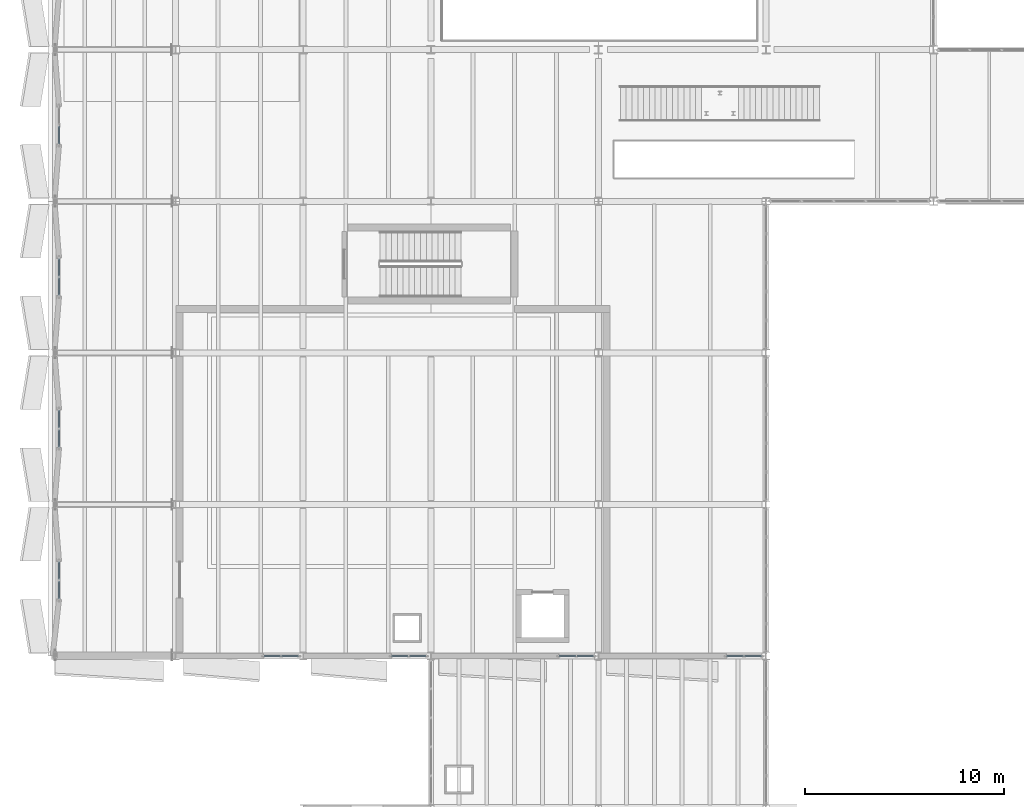
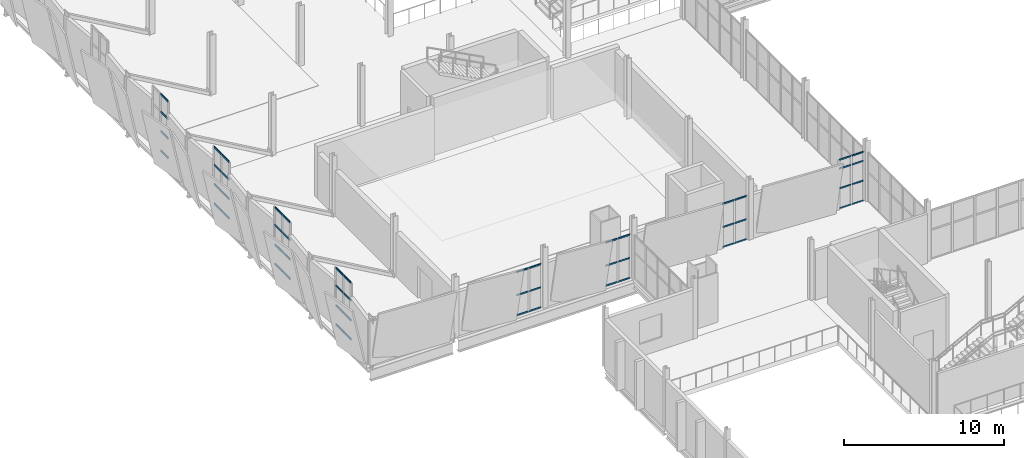
# One storey, part 124 of 172: 54 members, 8 elements without a shape of their own.
"""IFC4 building model written with IfcOpenShell, lengths in metres."""

from ifc_helpers import new_model, si_unit, direction, frame, origin, origin_2d, place, context, subcontext, project, spatial, hollow_rectangle, extrude, material, material_profile, profile_set, type_object, element, aggregate, save


model = new_model("IFC4")

# Units and contexts
model_context = context("Model", 3, precision=1e-05, world=origin(), true_north=direction((0.0, 1.0)))
body_context = subcontext(model_context, "Body", "Model", "MODEL_VIEW")
ifc_project = project(units=[si_unit("LENGTHUNIT", "METRE"), si_unit("AREAUNIT", "SQUARE_METRE"), si_unit("VOLUMEUNIT", "CUBIC_METRE"), si_unit("PLANEANGLEUNIT", "RADIAN"), si_unit("MASSUNIT", "GRAM", prefix="KILO")], contexts=[model_context])

# Site, building, storey
site_placement = place(None, origin())
site = spatial("IfcSite", under=ifc_project, at=site_placement, CompositionType="ELEMENT")
building_placement = place(site_placement, origin())
building = spatial("IfcBuilding", under=site, at=building_placement, Name="Shengluoqiao Park Theatre", CompositionType="ELEMENT")
storey_placement = place(building_placement, frame((0.0, 0.0, 5.39990234375)))
storey = spatial("IfcBuildingStorey", under=building, at=storey_placement, Name="L01", CompositionType="ELEMENT", Elevation=5.39990234375)

# Curtain wall, members
ifc_material = material(Name="Aluminium 6063-T6", Category="aluminium")
curtain_wall_type_1 = type_object("IfcCurtainWallType", Name="ENV-CW-STUDIO", PredefinedType="NOTDEFINED", material=ifc_material)
curtain_wall_1_placement = place(storey_placement, origin())
curtain_wall_1 = element("IfcCurtainWall", 1, at=curtain_wall_1_placement, inside=storey, type_object=curtain_wall_type_1, Name="L01 Curtain Wall CWX-L01-0016", PredefinedType="NOTDEFINED")
ifc_material_profile_1 = material_profile(ifc_material, hollow_rectangle(XDim=0.06005859375, YDim=0.1201171875, WallThickness=0.00390625, InnerFilletRadius=0.00390625, OuterFilletRadius=0.008056640625, at=origin_2d()), Name="ALU TRANSOM 120x60x4")
ifc_profile_set_1 = profile_set([ifc_material_profile_1], Name="Aluminium 6063-T6")
member_type_1 = type_object("IfcMemberType", Name="ENV-TRN-120", PredefinedType="USERDEFINED", material=ifc_profile_set_1)
member_1_placement = place(storey_placement, frame((10.825927734375, 30.39990234375, 0.030029296875), z_axis=(1.0, 0.0, 0.0), x_axis=(0.0, 1.0, 0.0)))
member_1 = element("IfcMember", 2, at=member_1_placement, type_object=member_type_1, Name="CW-02 transom 1.1", ObjectType="TRANSOM", PredefinedType="USERDEFINED", context=body_context, shape_type="SweptSolid", body=[
    extrude(hollow_rectangle(XDim=0.06005859375, YDim=0.1201171875, WallThickness=0.00390625, InnerFilletRadius=0.00390625, OuterFilletRadius=0.008056640625, at=origin_2d()), origin(), (0.0, 0.0, 1.0), 0.837646484375),
])
member_2_placement = place(storey_placement, frame((10.825927734375, 30.39990234375, 1.550048828125), z_axis=(1.0, 0.0, 0.0), x_axis=(0.0, 1.0, 0.0)))
member_2 = element("IfcMember", 3, at=member_2_placement, type_object=member_type_1, Name="CW-02 transom 1.2", ObjectType="TRANSOM", PredefinedType="USERDEFINED", context=body_context, shape_type="SweptSolid", body=[
    extrude(hollow_rectangle(XDim=0.06005859375, YDim=0.1201171875, WallThickness=0.00390625, InnerFilletRadius=0.00390625, OuterFilletRadius=0.008056640625, at=origin_2d()), origin(), (0.0, 0.0, 1.0), 0.837646484375),
])
member_3_placement = place(storey_placement, frame((10.825927734375, 30.39990234375, 3.30810546875), z_axis=(1.0, 0.0, 0.0), x_axis=(0.0, 1.0, 0.0)))
member_3 = element("IfcMember", 4, at=member_3_placement, type_object=member_type_1, Name="CW-02 transom 1.3", ObjectType="TRANSOM", PredefinedType="USERDEFINED", context=body_context, shape_type="SweptSolid", body=[
    extrude(hollow_rectangle(XDim=0.06005859375, YDim=0.1201171875, WallThickness=0.00390625, InnerFilletRadius=0.00390625, OuterFilletRadius=0.008056640625, at=origin_2d()), origin(), (0.0, 0.0, 1.0), 0.837646484375),
])
member_4_placement = place(storey_placement, frame((11.723388671875, 30.39990234375, 0.030029296875), z_axis=(1.0, 0.0, 0.0), x_axis=(0.0, 1.0, 0.0)))
member_4 = element("IfcMember", 5, at=member_4_placement, type_object=member_type_1, Name="CW-02 transom 2.1", ObjectType="TRANSOM", PredefinedType="USERDEFINED", context=body_context, shape_type="SweptSolid", body=[
    extrude(hollow_rectangle(XDim=0.06005859375, YDim=0.1201171875, WallThickness=0.00390625, InnerFilletRadius=0.00390625, OuterFilletRadius=0.008056640625, at=origin_2d()), origin(), (0.0, 0.0, 1.0), 0.837646484375),
])
member_5_placement = place(storey_placement, frame((11.723388671875, 30.39990234375, 1.550048828125), z_axis=(1.0, 0.0, 0.0), x_axis=(0.0, 1.0, 0.0)))
member_5 = element("IfcMember", 6, at=member_5_placement, type_object=member_type_1, Name="CW-02 transom 2.2", ObjectType="TRANSOM", PredefinedType="USERDEFINED", context=body_context, shape_type="SweptSolid", body=[
    extrude(hollow_rectangle(XDim=0.06005859375, YDim=0.1201171875, WallThickness=0.00390625, InnerFilletRadius=0.00390625, OuterFilletRadius=0.008056640625, at=origin_2d()), origin(), (0.0, 0.0, 1.0), 0.837646484375),
])
member_6_placement = place(storey_placement, frame((11.723388671875, 30.39990234375, 3.30810546875), z_axis=(1.0, 0.0, 0.0), x_axis=(0.0, 1.0, 0.0)))
member_6 = element("IfcMember", 7, at=member_6_placement, type_object=member_type_1, Name="CW-02 transom 2.3", ObjectType="TRANSOM", PredefinedType="USERDEFINED", context=body_context, shape_type="SweptSolid", body=[
    extrude(hollow_rectangle(XDim=0.06005859375, YDim=0.1201171875, WallThickness=0.00390625, InnerFilletRadius=0.00390625, OuterFilletRadius=0.008056640625, at=origin_2d()), origin(), (0.0, 0.0, 1.0), 0.837646484375),
])
aggregate(curtain_wall_1, [member_1, member_2, member_3, member_4, member_5, member_6])

curtain_wall_2_placement = place(storey_placement, origin())
curtain_wall_2 = element("IfcCurtainWall", 8, at=curtain_wall_2_placement, inside=storey, type_object=curtain_wall_type_1, Name="L01 Curtain Wall CWX-L01-0017", PredefinedType="NOTDEFINED")
member_7_placement = place(storey_placement, frame((17.22607421875, 30.39990234375, 0.030029296875), z_axis=(1.0, 0.0, 0.0), x_axis=(0.0, 1.0, 0.0)))
member_7 = element("IfcMember", 9, at=member_7_placement, type_object=member_type_1, Name="CW-02 transom 1.1", ObjectType="TRANSOM", PredefinedType="USERDEFINED", context=body_context, shape_type="SweptSolid", body=[
    extrude(hollow_rectangle(XDim=0.06005859375, YDim=0.1201171875, WallThickness=0.00390625, InnerFilletRadius=0.00390625, OuterFilletRadius=0.008056640625, at=origin_2d()), origin(), (0.0, 0.0, 1.0), 0.83740234375),
])
member_8_placement = place(storey_placement, frame((17.22607421875, 30.39990234375, 1.550048828125), z_axis=(1.0, 0.0, 0.0), x_axis=(0.0, 1.0, 0.0)))
member_8 = element("IfcMember", 10, at=member_8_placement, type_object=member_type_1, Name="CW-02 transom 1.2", ObjectType="TRANSOM", PredefinedType="USERDEFINED", context=body_context, shape_type="SweptSolid", body=[
    extrude(hollow_rectangle(XDim=0.06005859375, YDim=0.1201171875, WallThickness=0.00390625, InnerFilletRadius=0.00390625, OuterFilletRadius=0.008056640625, at=origin_2d()), origin(), (0.0, 0.0, 1.0), 0.83740234375),
])
member_9_placement = place(storey_placement, frame((17.22607421875, 30.39990234375, 3.30810546875), z_axis=(1.0, 0.0, 0.0), x_axis=(0.0, 1.0, 0.0)))
member_9 = element("IfcMember", 11, at=member_9_placement, type_object=member_type_1, Name="CW-02 transom 1.3", ObjectType="TRANSOM", PredefinedType="USERDEFINED", context=body_context, shape_type="SweptSolid", body=[
    extrude(hollow_rectangle(XDim=0.06005859375, YDim=0.1201171875, WallThickness=0.00390625, InnerFilletRadius=0.00390625, OuterFilletRadius=0.008056640625, at=origin_2d()), origin(), (0.0, 0.0, 1.0), 0.83740234375),
])
member_10_placement = place(storey_placement, frame((18.12353515625, 30.39990234375, 0.030029296875), z_axis=(1.0, 0.0, 0.0), x_axis=(0.0, 1.0, 0.0)))
member_10 = element("IfcMember", 12, at=member_10_placement, type_object=member_type_1, Name="CW-02 transom 2.1", ObjectType="TRANSOM", PredefinedType="USERDEFINED", context=body_context, shape_type="SweptSolid", body=[
    extrude(hollow_rectangle(XDim=0.06005859375, YDim=0.1201171875, WallThickness=0.00390625, InnerFilletRadius=0.00390625, OuterFilletRadius=0.008056640625, at=origin_2d()), origin(), (0.0, 0.0, 1.0), 0.83740234375),
])
member_11_placement = place(storey_placement, frame((18.12353515625, 30.39990234375, 1.550048828125), z_axis=(1.0, 0.0, 0.0), x_axis=(0.0, 1.0, 0.0)))
member_11 = element("IfcMember", 13, at=member_11_placement, type_object=member_type_1, Name="CW-02 transom 2.2", ObjectType="TRANSOM", PredefinedType="USERDEFINED", context=body_context, shape_type="SweptSolid", body=[
    extrude(hollow_rectangle(XDim=0.06005859375, YDim=0.1201171875, WallThickness=0.00390625, InnerFilletRadius=0.00390625, OuterFilletRadius=0.008056640625, at=origin_2d()), origin(), (0.0, 0.0, 1.0), 0.83740234375),
])
member_12_placement = place(storey_placement, frame((18.12353515625, 30.39990234375, 3.30810546875), z_axis=(1.0, 0.0, 0.0), x_axis=(0.0, 1.0, 0.0)))
member_12 = element("IfcMember", 14, at=member_12_placement, type_object=member_type_1, Name="CW-02 transom 2.3", ObjectType="TRANSOM", PredefinedType="USERDEFINED", context=body_context, shape_type="SweptSolid", body=[
    extrude(hollow_rectangle(XDim=0.06005859375, YDim=0.1201171875, WallThickness=0.00390625, InnerFilletRadius=0.00390625, OuterFilletRadius=0.008056640625, at=origin_2d()), origin(), (0.0, 0.0, 1.0), 0.83740234375),
])
aggregate(curtain_wall_2, [member_7, member_8, member_9, member_10, member_11, member_12])

curtain_wall_3_placement = place(storey_placement, origin())
curtain_wall_3 = element("IfcCurtainWall", 15, at=curtain_wall_3_placement, inside=storey, type_object=curtain_wall_type_1, Name="L01 Curtain Wall CWX-L01-0018", PredefinedType="NOTDEFINED")
member_13_placement = place(storey_placement, frame((25.6259765625, 30.39990234375, 0.030029296875), z_axis=(1.0, 0.0, 0.0), x_axis=(0.0, 1.0, 0.0)))
member_13 = element("IfcMember", 16, at=member_13_placement, type_object=member_type_1, Name="CW-02 transom 1.1", ObjectType="TRANSOM", PredefinedType="USERDEFINED", context=body_context, shape_type="SweptSolid", body=[
    extrude(hollow_rectangle(XDim=0.06005859375, YDim=0.1201171875, WallThickness=0.00390625, InnerFilletRadius=0.00390625, OuterFilletRadius=0.008056640625, at=origin_2d()), origin(), (0.0, 0.0, 1.0), 0.83740234375),
])
member_14_placement = place(storey_placement, frame((25.6259765625, 30.39990234375, 1.550048828125), z_axis=(1.0, 0.0, 0.0), x_axis=(0.0, 1.0, 0.0)))
member_14 = element("IfcMember", 17, at=member_14_placement, type_object=member_type_1, Name="CW-02 transom 1.2", ObjectType="TRANSOM", PredefinedType="USERDEFINED", context=body_context, shape_type="SweptSolid", body=[
    extrude(hollow_rectangle(XDim=0.06005859375, YDim=0.1201171875, WallThickness=0.00390625, InnerFilletRadius=0.00390625, OuterFilletRadius=0.008056640625, at=origin_2d()), origin(), (0.0, 0.0, 1.0), 0.83740234375),
])
member_15_placement = place(storey_placement, frame((25.6259765625, 30.39990234375, 3.30810546875), z_axis=(1.0, 0.0, 0.0), x_axis=(0.0, 1.0, 0.0)))
member_15 = element("IfcMember", 18, at=member_15_placement, type_object=member_type_1, Name="CW-02 transom 1.3", ObjectType="TRANSOM", PredefinedType="USERDEFINED", context=body_context, shape_type="SweptSolid", body=[
    extrude(hollow_rectangle(XDim=0.06005859375, YDim=0.1201171875, WallThickness=0.00390625, InnerFilletRadius=0.00390625, OuterFilletRadius=0.008056640625, at=origin_2d()), origin(), (0.0, 0.0, 1.0), 0.83740234375),
])
member_16_placement = place(storey_placement, frame((26.5234375, 30.39990234375, 0.030029296875), z_axis=(1.0, 0.0, 0.0), x_axis=(0.0, 1.0, 0.0)))
member_16 = element("IfcMember", 19, at=member_16_placement, type_object=member_type_1, Name="CW-02 transom 2.1", ObjectType="TRANSOM", PredefinedType="USERDEFINED", context=body_context, shape_type="SweptSolid", body=[
    extrude(hollow_rectangle(XDim=0.06005859375, YDim=0.1201171875, WallThickness=0.00390625, InnerFilletRadius=0.00390625, OuterFilletRadius=0.008056640625, at=origin_2d()), origin(), (0.0, 0.0, 1.0), 0.837646484375),
])
member_17_placement = place(storey_placement, frame((26.5234375, 30.39990234375, 1.550048828125), z_axis=(1.0, 0.0, 0.0), x_axis=(0.0, 1.0, 0.0)))
member_17 = element("IfcMember", 20, at=member_17_placement, type_object=member_type_1, Name="CW-02 transom 2.2", ObjectType="TRANSOM", PredefinedType="USERDEFINED", context=body_context, shape_type="SweptSolid", body=[
    extrude(hollow_rectangle(XDim=0.06005859375, YDim=0.1201171875, WallThickness=0.00390625, InnerFilletRadius=0.00390625, OuterFilletRadius=0.008056640625, at=origin_2d()), origin(), (0.0, 0.0, 1.0), 0.837646484375),
])
member_18_placement = place(storey_placement, frame((26.5234375, 30.39990234375, 3.30810546875), z_axis=(1.0, 0.0, 0.0), x_axis=(0.0, 1.0, 0.0)))
member_18 = element("IfcMember", 21, at=member_18_placement, type_object=member_type_1, Name="CW-02 transom 2.3", ObjectType="TRANSOM", PredefinedType="USERDEFINED", context=body_context, shape_type="SweptSolid", body=[
    extrude(hollow_rectangle(XDim=0.06005859375, YDim=0.1201171875, WallThickness=0.00390625, InnerFilletRadius=0.00390625, OuterFilletRadius=0.008056640625, at=origin_2d()), origin(), (0.0, 0.0, 1.0), 0.837646484375),
])
aggregate(curtain_wall_3, [member_13, member_14, member_15, member_16, member_17, member_18])

curtain_wall_4_placement = place(storey_placement, origin())
curtain_wall_4 = element("IfcCurtainWall", 22, at=curtain_wall_4_placement, inside=storey, type_object=curtain_wall_type_1, Name="L01 Curtain Wall CWX-L01-0019", PredefinedType="NOTDEFINED")
member_19_placement = place(storey_placement, frame((34.02587890625, 30.39990234375, 0.030029296875), z_axis=(1.0, 0.0, 0.0), x_axis=(0.0, 1.0, 0.0)))
member_19 = element("IfcMember", 23, at=member_19_placement, type_object=member_type_1, Name="CW-02 transom 1.1", ObjectType="TRANSOM", PredefinedType="USERDEFINED", context=body_context, shape_type="SweptSolid", body=[
    extrude(hollow_rectangle(XDim=0.06005859375, YDim=0.1201171875, WallThickness=0.00390625, InnerFilletRadius=0.00390625, OuterFilletRadius=0.008056640625, at=origin_2d()), origin(), (0.0, 0.0, 1.0), 0.837646484375),
])
member_20_placement = place(storey_placement, frame((34.02587890625, 30.39990234375, 1.550048828125), z_axis=(1.0, 0.0, 0.0), x_axis=(0.0, 1.0, 0.0)))
member_20 = element("IfcMember", 24, at=member_20_placement, type_object=member_type_1, Name="CW-02 transom 1.2", ObjectType="TRANSOM", PredefinedType="USERDEFINED", context=body_context, shape_type="SweptSolid", body=[
    extrude(hollow_rectangle(XDim=0.06005859375, YDim=0.1201171875, WallThickness=0.00390625, InnerFilletRadius=0.00390625, OuterFilletRadius=0.008056640625, at=origin_2d()), origin(), (0.0, 0.0, 1.0), 0.837646484375),
])
member_21_placement = place(storey_placement, frame((34.02587890625, 30.39990234375, 3.050048828125), z_axis=(1.0, 0.0, 0.0), x_axis=(0.0, 1.0, 0.0)))
member_21 = element("IfcMember", 25, at=member_21_placement, type_object=member_type_1, Name="CW-02 transom 1.3", ObjectType="TRANSOM", PredefinedType="USERDEFINED", context=body_context, shape_type="SweptSolid", body=[
    extrude(hollow_rectangle(XDim=0.06005859375, YDim=0.1201171875, WallThickness=0.00390625, InnerFilletRadius=0.00390625, OuterFilletRadius=0.008056640625, at=origin_2d()), origin(), (0.0, 0.0, 1.0), 0.837646484375),
])
member_22_placement = place(storey_placement, frame((34.02587890625, 30.39990234375, 3.72021484375), z_axis=(1.0, 0.0, 0.0), x_axis=(0.0, 1.0, 0.0)))
member_22 = element("IfcMember", 26, at=member_22_placement, type_object=member_type_1, Name="CW-02 transom 1.4", ObjectType="TRANSOM", PredefinedType="USERDEFINED", context=body_context, shape_type="SweptSolid", body=[
    extrude(hollow_rectangle(XDim=0.06005859375, YDim=0.1201171875, WallThickness=0.00390625, InnerFilletRadius=0.00390625, OuterFilletRadius=0.008056640625, at=origin_2d()), origin(), (0.0, 0.0, 1.0), 0.837646484375),
])
member_23_placement = place(storey_placement, frame((34.923583984375, 30.39990234375, 0.030029296875), z_axis=(1.0, 0.0, 0.0), x_axis=(0.0, 1.0, 0.0)))
member_23 = element("IfcMember", 27, at=member_23_placement, type_object=member_type_1, Name="CW-02 transom 2.1", ObjectType="TRANSOM", PredefinedType="USERDEFINED", context=body_context, shape_type="SweptSolid", body=[
    extrude(hollow_rectangle(XDim=0.06005859375, YDim=0.1201171875, WallThickness=0.00390625, InnerFilletRadius=0.00390625, OuterFilletRadius=0.008056640625, at=origin_2d()), origin(), (0.0, 0.0, 1.0), 0.83740234375),
])
member_24_placement = place(storey_placement, frame((34.923583984375, 30.39990234375, 1.550048828125), z_axis=(1.0, 0.0, 0.0), x_axis=(0.0, 1.0, 0.0)))
member_24 = element("IfcMember", 28, at=member_24_placement, type_object=member_type_1, Name="CW-02 transom 2.2", ObjectType="TRANSOM", PredefinedType="USERDEFINED", context=body_context, shape_type="SweptSolid", body=[
    extrude(hollow_rectangle(XDim=0.06005859375, YDim=0.1201171875, WallThickness=0.00390625, InnerFilletRadius=0.00390625, OuterFilletRadius=0.008056640625, at=origin_2d()), origin(), (0.0, 0.0, 1.0), 0.83740234375),
])
member_25_placement = place(storey_placement, frame((34.923583984375, 30.39990234375, 3.050048828125), z_axis=(1.0, 0.0, 0.0), x_axis=(0.0, 1.0, 0.0)))
member_25 = element("IfcMember", 29, at=member_25_placement, type_object=member_type_1, Name="CW-02 transom 2.3", ObjectType="TRANSOM", PredefinedType="USERDEFINED", context=body_context, shape_type="SweptSolid", body=[
    extrude(hollow_rectangle(XDim=0.06005859375, YDim=0.1201171875, WallThickness=0.00390625, InnerFilletRadius=0.00390625, OuterFilletRadius=0.008056640625, at=origin_2d()), origin(), (0.0, 0.0, 1.0), 0.83740234375),
])
member_26_placement = place(storey_placement, frame((34.923583984375, 30.39990234375, 3.72021484375), z_axis=(1.0, 0.0, 0.0), x_axis=(0.0, 1.0, 0.0)))
member_26 = element("IfcMember", 30, at=member_26_placement, type_object=member_type_1, Name="CW-02 transom 2.4", ObjectType="TRANSOM", PredefinedType="USERDEFINED", context=body_context, shape_type="SweptSolid", body=[
    extrude(hollow_rectangle(XDim=0.06005859375, YDim=0.1201171875, WallThickness=0.00390625, InnerFilletRadius=0.00390625, OuterFilletRadius=0.008056640625, at=origin_2d()), origin(), (0.0, 0.0, 1.0), 0.83740234375),
])
aggregate(curtain_wall_4, [member_19, member_20, member_21, member_22, member_23, member_24, member_25, member_26])

curtain_wall_5_placement = place(storey_placement, origin())
curtain_wall_5 = element("IfcCurtainWall", 31, at=curtain_wall_5_placement, inside=storey, type_object=curtain_wall_type_1, Name="L01 Curtain Wall CW-L01-SLIT-0232", PredefinedType="NOTDEFINED")
ifc_material_profile_2 = material_profile(ifc_material, hollow_rectangle(XDim=0.06494140625, YDim=0.14990234375, WallThickness=0.00390625, InnerFilletRadius=0.00390625, OuterFilletRadius=0.008056640625, at=origin_2d()), Name="ALU TRANSOM 150x65x4")
ifc_profile_set_2 = profile_set([ifc_material_profile_2], Name="Aluminium 6063-T6")
member_type_2 = type_object("IfcMemberType", Name="ENV-TRN-150", PredefinedType="USERDEFINED", material=ifc_profile_set_2)
member_27_placement = place(storey_placement, frame((0.56005859375, 33.264892578125, 0.03271484375), z_axis=(0.0, 1.0, 0.0), x_axis=(-1.0, 0.0, 0.0)))
member_27 = element("IfcMember", 32, at=member_27_placement, type_object=member_type_2, Name="CW-02 transom 1.1", ObjectType="TRANSOM", PredefinedType="USERDEFINED", context=body_context, shape_type="SweptSolid", body=[
    extrude(hollow_rectangle(XDim=0.06494140625, YDim=0.14990234375, WallThickness=0.00390625, InnerFilletRadius=0.00390625, OuterFilletRadius=0.008056640625, at=origin_2d()), origin(), (0.0, 0.0, 1.0), 0.902587890625),
])
member_28_placement = place(storey_placement, frame((0.56005859375, 33.264892578125, 1.5), z_axis=(0.0, 1.0, 0.0), x_axis=(-1.0, 0.0, 0.0)))
member_28 = element("IfcMember", 33, at=member_28_placement, type_object=member_type_2, Name="CW-02 transom 1.2", ObjectType="TRANSOM", PredefinedType="USERDEFINED", context=body_context, shape_type="SweptSolid", body=[
    extrude(hollow_rectangle(XDim=0.06494140625, YDim=0.14990234375, WallThickness=0.00390625, InnerFilletRadius=0.00390625, OuterFilletRadius=0.008056640625, at=origin_2d()), origin(), (0.0, 0.0, 1.0), 0.902587890625),
])
member_29_placement = place(storey_placement, frame((0.56005859375, 33.264892578125, 3.0), z_axis=(0.0, 1.0, 0.0), x_axis=(-1.0, 0.0, 0.0)))
member_29 = element("IfcMember", 34, at=member_29_placement, type_object=member_type_2, Name="CW-02 transom 1.3", ObjectType="TRANSOM", PredefinedType="USERDEFINED", context=body_context, shape_type="SweptSolid", body=[
    extrude(hollow_rectangle(XDim=0.06494140625, YDim=0.14990234375, WallThickness=0.00390625, InnerFilletRadius=0.00390625, OuterFilletRadius=0.008056640625, at=origin_2d()), origin(), (0.0, 0.0, 1.0), 0.902587890625),
])
member_30_placement = place(storey_placement, frame((0.56005859375, 33.264892578125, 4.32763671875), z_axis=(0.0, 1.0, 0.0), x_axis=(-1.0, 0.0, 0.0)))
member_30 = element("IfcMember", 35, at=member_30_placement, type_object=member_type_2, Name="CW-02 transom 1.4", ObjectType="TRANSOM", PredefinedType="USERDEFINED", context=body_context, shape_type="SweptSolid", body=[
    extrude(hollow_rectangle(XDim=0.06494140625, YDim=0.14990234375, WallThickness=0.00390625, InnerFilletRadius=0.00390625, OuterFilletRadius=0.008056640625, at=origin_2d()), origin(), (0.0, 0.0, 1.0), 0.902587890625),
])
member_31_placement = place(storey_placement, frame((0.56005859375, 34.232421875, 0.03271484375), z_axis=(0.0, 1.0, 0.0), x_axis=(-1.0, 0.0, 0.0)))
member_31 = element("IfcMember", 36, at=member_31_placement, type_object=member_type_2, Name="CW-02 transom 2.1", ObjectType="TRANSOM", PredefinedType="USERDEFINED", context=body_context, shape_type="SweptSolid", body=[
    extrude(hollow_rectangle(XDim=0.06494140625, YDim=0.14990234375, WallThickness=0.00390625, InnerFilletRadius=0.00390625, OuterFilletRadius=0.008056640625, at=origin_2d()), origin(), (0.0, 0.0, 1.0), 0.902587890625),
])
member_32_placement = place(storey_placement, frame((0.56005859375, 34.232421875, 1.5), z_axis=(0.0, 1.0, 0.0), x_axis=(-1.0, 0.0, 0.0)))
member_32 = element("IfcMember", 37, at=member_32_placement, type_object=member_type_2, Name="CW-02 transom 2.2", ObjectType="TRANSOM", PredefinedType="USERDEFINED", context=body_context, shape_type="SweptSolid", body=[
    extrude(hollow_rectangle(XDim=0.06494140625, YDim=0.14990234375, WallThickness=0.00390625, InnerFilletRadius=0.00390625, OuterFilletRadius=0.008056640625, at=origin_2d()), origin(), (0.0, 0.0, 1.0), 0.902587890625),
])
member_33_placement = place(storey_placement, frame((0.56005859375, 34.232421875, 3.0), z_axis=(0.0, 1.0, 0.0), x_axis=(-1.0, 0.0, 0.0)))
member_33 = element("IfcMember", 38, at=member_33_placement, type_object=member_type_2, Name="CW-02 transom 2.3", ObjectType="TRANSOM", PredefinedType="USERDEFINED", context=body_context, shape_type="SweptSolid", body=[
    extrude(hollow_rectangle(XDim=0.06494140625, YDim=0.14990234375, WallThickness=0.00390625, InnerFilletRadius=0.00390625, OuterFilletRadius=0.008056640625, at=origin_2d()), origin(), (0.0, 0.0, 1.0), 0.902587890625),
])
member_34_placement = place(storey_placement, frame((0.56005859375, 34.232421875, 4.32763671875), z_axis=(0.0, 1.0, 0.0), x_axis=(-1.0, 0.0, 0.0)))
member_34 = element("IfcMember", 39, at=member_34_placement, type_object=member_type_2, Name="CW-02 transom 2.4", ObjectType="TRANSOM", PredefinedType="USERDEFINED", context=body_context, shape_type="SweptSolid", body=[
    extrude(hollow_rectangle(XDim=0.06494140625, YDim=0.14990234375, WallThickness=0.00390625, InnerFilletRadius=0.00390625, OuterFilletRadius=0.008056640625, at=origin_2d()), origin(), (0.0, 0.0, 1.0), 0.902587890625),
])
aggregate(curtain_wall_5, [member_27, member_28, member_29, member_30, member_31, member_32, member_33, member_34])

curtain_wall_6_placement = place(storey_placement, origin())
curtain_wall_6 = element("IfcCurtainWall", 40, at=curtain_wall_6_placement, inside=storey, type_object=curtain_wall_type_1, Name="L01 Curtain Wall CW-L01-SLIT-0233", PredefinedType="NOTDEFINED")
member_35_placement = place(storey_placement, frame((0.56005859375, 40.864990234375, 0.03271484375), z_axis=(0.0, 1.0, 0.0), x_axis=(-1.0, 0.0, 0.0)))
member_35 = element("IfcMember", 41, at=member_35_placement, type_object=member_type_2, Name="CW-02 transom 1.1", ObjectType="TRANSOM", PredefinedType="USERDEFINED", context=body_context, shape_type="SweptSolid", body=[
    extrude(hollow_rectangle(XDim=0.06494140625, YDim=0.14990234375, WallThickness=0.00390625, InnerFilletRadius=0.00390625, OuterFilletRadius=0.008056640625, at=origin_2d()), origin(), (0.0, 0.0, 1.0), 0.902587890625),
])
member_36_placement = place(storey_placement, frame((0.56005859375, 40.864990234375, 1.5), z_axis=(0.0, 1.0, 0.0), x_axis=(-1.0, 0.0, 0.0)))
member_36 = element("IfcMember", 42, at=member_36_placement, type_object=member_type_2, Name="CW-02 transom 1.2", ObjectType="TRANSOM", PredefinedType="USERDEFINED", context=body_context, shape_type="SweptSolid", body=[
    extrude(hollow_rectangle(XDim=0.06494140625, YDim=0.14990234375, WallThickness=0.00390625, InnerFilletRadius=0.00390625, OuterFilletRadius=0.008056640625, at=origin_2d()), origin(), (0.0, 0.0, 1.0), 0.902587890625),
])
member_37_placement = place(storey_placement, frame((0.56005859375, 40.864990234375, 3.0), z_axis=(0.0, 1.0, 0.0), x_axis=(-1.0, 0.0, 0.0)))
member_37 = element("IfcMember", 43, at=member_37_placement, type_object=member_type_2, Name="CW-02 transom 1.3", ObjectType="TRANSOM", PredefinedType="USERDEFINED", context=body_context, shape_type="SweptSolid", body=[
    extrude(hollow_rectangle(XDim=0.06494140625, YDim=0.14990234375, WallThickness=0.00390625, InnerFilletRadius=0.00390625, OuterFilletRadius=0.008056640625, at=origin_2d()), origin(), (0.0, 0.0, 1.0), 0.902587890625),
])
member_38_placement = place(storey_placement, frame((0.56005859375, 40.864990234375, 4.32763671875), z_axis=(0.0, 1.0, 0.0), x_axis=(-1.0, 0.0, 0.0)))
member_38 = element("IfcMember", 44, at=member_38_placement, type_object=member_type_2, Name="CW-02 transom 1.4", ObjectType="TRANSOM", PredefinedType="USERDEFINED", context=body_context, shape_type="SweptSolid", body=[
    extrude(hollow_rectangle(XDim=0.06494140625, YDim=0.14990234375, WallThickness=0.00390625, InnerFilletRadius=0.00390625, OuterFilletRadius=0.008056640625, at=origin_2d()), origin(), (0.0, 0.0, 1.0), 0.902587890625),
])
member_39_placement = place(storey_placement, frame((0.56005859375, 41.83251953125, 0.03271484375), z_axis=(0.0, 1.0, 0.0), x_axis=(-1.0, 0.0, 0.0)))
member_39 = element("IfcMember", 45, at=member_39_placement, type_object=member_type_2, Name="CW-02 transom 2.1", ObjectType="TRANSOM", PredefinedType="USERDEFINED", context=body_context, shape_type="SweptSolid", body=[
    extrude(hollow_rectangle(XDim=0.06494140625, YDim=0.14990234375, WallThickness=0.00390625, InnerFilletRadius=0.00390625, OuterFilletRadius=0.008056640625, at=origin_2d()), origin(), (0.0, 0.0, 1.0), 0.902587890625),
])
member_40_placement = place(storey_placement, frame((0.56005859375, 41.83251953125, 1.5), z_axis=(0.0, 1.0, 0.0), x_axis=(-1.0, 0.0, 0.0)))
member_40 = element("IfcMember", 46, at=member_40_placement, type_object=member_type_2, Name="CW-02 transom 2.2", ObjectType="TRANSOM", PredefinedType="USERDEFINED", context=body_context, shape_type="SweptSolid", body=[
    extrude(hollow_rectangle(XDim=0.06494140625, YDim=0.14990234375, WallThickness=0.00390625, InnerFilletRadius=0.00390625, OuterFilletRadius=0.008056640625, at=origin_2d()), origin(), (0.0, 0.0, 1.0), 0.902587890625),
])
member_41_placement = place(storey_placement, frame((0.56005859375, 41.83251953125, 3.0), z_axis=(0.0, 1.0, 0.0), x_axis=(-1.0, 0.0, 0.0)))
member_41 = element("IfcMember", 47, at=member_41_placement, type_object=member_type_2, Name="CW-02 transom 2.3", ObjectType="TRANSOM", PredefinedType="USERDEFINED", context=body_context, shape_type="SweptSolid", body=[
    extrude(hollow_rectangle(XDim=0.06494140625, YDim=0.14990234375, WallThickness=0.00390625, InnerFilletRadius=0.00390625, OuterFilletRadius=0.008056640625, at=origin_2d()), origin(), (0.0, 0.0, 1.0), 0.902587890625),
])
member_42_placement = place(storey_placement, frame((0.56005859375, 41.83251953125, 4.32763671875), z_axis=(0.0, 1.0, 0.0), x_axis=(-1.0, 0.0, 0.0)))
member_42 = element("IfcMember", 48, at=member_42_placement, type_object=member_type_2, Name="CW-02 transom 2.4", ObjectType="TRANSOM", PredefinedType="USERDEFINED", context=body_context, shape_type="SweptSolid", body=[
    extrude(hollow_rectangle(XDim=0.06494140625, YDim=0.14990234375, WallThickness=0.00390625, InnerFilletRadius=0.00390625, OuterFilletRadius=0.008056640625, at=origin_2d()), origin(), (0.0, 0.0, 1.0), 0.902587890625),
])
aggregate(curtain_wall_6, [member_35, member_36, member_37, member_38, member_39, member_40, member_41, member_42])

curtain_wall_7_placement = place(storey_placement, origin())
curtain_wall_7 = element("IfcCurtainWall", 49, at=curtain_wall_7_placement, inside=storey, type_object=curtain_wall_type_1, Name="L01 Curtain Wall CW-L01-SLIT-0234", PredefinedType="NOTDEFINED")
member_43_placement = place(storey_placement, frame((0.56005859375, 48.465087890625, 0.03271484375), z_axis=(0.0, 1.0, 0.0), x_axis=(-1.0, 0.0, 0.0)))
member_43 = element("IfcMember", 50, at=member_43_placement, type_object=member_type_2, Name="CW-02 transom 1.1", ObjectType="TRANSOM", PredefinedType="USERDEFINED", context=body_context, shape_type="SweptSolid", body=[
    extrude(hollow_rectangle(XDim=0.06494140625, YDim=0.14990234375, WallThickness=0.00390625, InnerFilletRadius=0.00390625, OuterFilletRadius=0.008056640625, at=origin_2d()), origin(), (0.0, 0.0, 1.0), 0.90234375),
])
member_44_placement = place(storey_placement, frame((0.56005859375, 48.465087890625, 1.5), z_axis=(0.0, 1.0, 0.0), x_axis=(-1.0, 0.0, 0.0)))
member_44 = element("IfcMember", 51, at=member_44_placement, type_object=member_type_2, Name="CW-02 transom 1.2", ObjectType="TRANSOM", PredefinedType="USERDEFINED", context=body_context, shape_type="SweptSolid", body=[
    extrude(hollow_rectangle(XDim=0.06494140625, YDim=0.14990234375, WallThickness=0.00390625, InnerFilletRadius=0.00390625, OuterFilletRadius=0.008056640625, at=origin_2d()), origin(), (0.0, 0.0, 1.0), 0.90234375),
])
member_45_placement = place(storey_placement, frame((0.56005859375, 48.465087890625, 3.0), z_axis=(0.0, 1.0, 0.0), x_axis=(-1.0, 0.0, 0.0)))
member_45 = element("IfcMember", 52, at=member_45_placement, type_object=member_type_2, Name="CW-02 transom 1.3", ObjectType="TRANSOM", PredefinedType="USERDEFINED", context=body_context, shape_type="SweptSolid", body=[
    extrude(hollow_rectangle(XDim=0.06494140625, YDim=0.14990234375, WallThickness=0.00390625, InnerFilletRadius=0.00390625, OuterFilletRadius=0.008056640625, at=origin_2d()), origin(), (0.0, 0.0, 1.0), 0.90234375),
])
member_46_placement = place(storey_placement, frame((0.56005859375, 48.465087890625, 4.32763671875), z_axis=(0.0, 1.0, 0.0), x_axis=(-1.0, 0.0, 0.0)))
member_46 = element("IfcMember", 53, at=member_46_placement, type_object=member_type_2, Name="CW-02 transom 1.4", ObjectType="TRANSOM", PredefinedType="USERDEFINED", context=body_context, shape_type="SweptSolid", body=[
    extrude(hollow_rectangle(XDim=0.06494140625, YDim=0.14990234375, WallThickness=0.00390625, InnerFilletRadius=0.00390625, OuterFilletRadius=0.008056640625, at=origin_2d()), origin(), (0.0, 0.0, 1.0), 0.90234375),
])
member_47_placement = place(storey_placement, frame((0.56005859375, 49.4326171875, 0.03271484375), z_axis=(0.0, 1.0, 0.0), x_axis=(-1.0, 0.0, 0.0)))
member_47 = element("IfcMember", 54, at=member_47_placement, type_object=member_type_2, Name="CW-02 transom 2.1", ObjectType="TRANSOM", PredefinedType="USERDEFINED", context=body_context, shape_type="SweptSolid", body=[
    extrude(hollow_rectangle(XDim=0.06494140625, YDim=0.14990234375, WallThickness=0.00390625, InnerFilletRadius=0.00390625, OuterFilletRadius=0.008056640625, at=origin_2d()), origin(), (0.0, 0.0, 1.0), 0.90234375),
])
member_48_placement = place(storey_placement, frame((0.56005859375, 49.4326171875, 1.5), z_axis=(0.0, 1.0, 0.0), x_axis=(-1.0, 0.0, 0.0)))
member_48 = element("IfcMember", 55, at=member_48_placement, type_object=member_type_2, Name="CW-02 transom 2.2", ObjectType="TRANSOM", PredefinedType="USERDEFINED", context=body_context, shape_type="SweptSolid", body=[
    extrude(hollow_rectangle(XDim=0.06494140625, YDim=0.14990234375, WallThickness=0.00390625, InnerFilletRadius=0.00390625, OuterFilletRadius=0.008056640625, at=origin_2d()), origin(), (0.0, 0.0, 1.0), 0.90234375),
])
member_49_placement = place(storey_placement, frame((0.56005859375, 49.4326171875, 3.0), z_axis=(0.0, 1.0, 0.0), x_axis=(-1.0, 0.0, 0.0)))
member_49 = element("IfcMember", 56, at=member_49_placement, type_object=member_type_2, Name="CW-02 transom 2.3", ObjectType="TRANSOM", PredefinedType="USERDEFINED", context=body_context, shape_type="SweptSolid", body=[
    extrude(hollow_rectangle(XDim=0.06494140625, YDim=0.14990234375, WallThickness=0.00390625, InnerFilletRadius=0.00390625, OuterFilletRadius=0.008056640625, at=origin_2d()), origin(), (0.0, 0.0, 1.0), 0.90234375),
])
member_50_placement = place(storey_placement, frame((0.56005859375, 49.4326171875, 4.32763671875), z_axis=(0.0, 1.0, 0.0), x_axis=(-1.0, 0.0, 0.0)))
member_50 = element("IfcMember", 57, at=member_50_placement, type_object=member_type_2, Name="CW-02 transom 2.4", ObjectType="TRANSOM", PredefinedType="USERDEFINED", context=body_context, shape_type="SweptSolid", body=[
    extrude(hollow_rectangle(XDim=0.06494140625, YDim=0.14990234375, WallThickness=0.00390625, InnerFilletRadius=0.00390625, OuterFilletRadius=0.008056640625, at=origin_2d()), origin(), (0.0, 0.0, 1.0), 0.90234375),
])
aggregate(curtain_wall_7, [member_43, member_44, member_45, member_46, member_47, member_48, member_49, member_50])

curtain_wall_type_2 = type_object("IfcCurtainWallType", Name="ENV-CW-FOYER", PredefinedType="NOTDEFINED", material=ifc_material)
curtain_wall_8_placement = place(storey_placement, origin())
curtain_wall_8 = element("IfcCurtainWall", 58, at=curtain_wall_8_placement, inside=storey, type_object=curtain_wall_type_2, Name="L01 Curtain Wall CW-L01-SLIT-0235", PredefinedType="NOTDEFINED")
member_51_placement = place(storey_placement, frame((0.56005859375, 56.06494140625, 0.03271484375), z_axis=(0.0, 1.0, 0.0), x_axis=(-1.0, 0.0, 0.0)))
member_51 = element("IfcMember", 59, at=member_51_placement, type_object=member_type_2, Name="CW-01 transom 1.1", ObjectType="TRANSOM", PredefinedType="USERDEFINED", context=body_context, shape_type="SweptSolid", body=[
    extrude(hollow_rectangle(XDim=0.06494140625, YDim=0.14990234375, WallThickness=0.00390625, InnerFilletRadius=0.00390625, OuterFilletRadius=0.008056640625, at=origin_2d()), origin(), (0.0, 0.0, 1.0), 0.902587890625),
])
member_52_placement = place(storey_placement, frame((0.56005859375, 56.06494140625, 1.5), z_axis=(0.0, 1.0, 0.0), x_axis=(-1.0, 0.0, 0.0)))
member_52 = element("IfcMember", 60, at=member_52_placement, type_object=member_type_2, Name="CW-01 transom 1.2", ObjectType="TRANSOM", PredefinedType="USERDEFINED", context=body_context, shape_type="SweptSolid", body=[
    extrude(hollow_rectangle(XDim=0.06494140625, YDim=0.14990234375, WallThickness=0.00390625, InnerFilletRadius=0.00390625, OuterFilletRadius=0.008056640625, at=origin_2d()), origin(), (0.0, 0.0, 1.0), 0.902587890625),
])
member_53_placement = place(storey_placement, frame((0.56005859375, 56.06494140625, 3.0), z_axis=(0.0, 1.0, 0.0), x_axis=(-1.0, 0.0, 0.0)))
member_53 = element("IfcMember", 61, at=member_53_placement, type_object=member_type_2, Name="CW-01 transom 1.3", ObjectType="TRANSOM", PredefinedType="USERDEFINED", context=body_context, shape_type="SweptSolid", body=[
    extrude(hollow_rectangle(XDim=0.06494140625, YDim=0.14990234375, WallThickness=0.00390625, InnerFilletRadius=0.00390625, OuterFilletRadius=0.008056640625, at=origin_2d()), origin(), (0.0, 0.0, 1.0), 0.902587890625),
])
member_54_placement = place(storey_placement, frame((0.56005859375, 56.06494140625, 4.32763671875), z_axis=(0.0, 1.0, 0.0), x_axis=(-1.0, 0.0, 0.0)))
member_54 = element("IfcMember", 62, at=member_54_placement, type_object=member_type_2, Name="CW-01 transom 1.4", ObjectType="TRANSOM", PredefinedType="USERDEFINED", context=body_context, shape_type="SweptSolid", body=[
    extrude(hollow_rectangle(XDim=0.06494140625, YDim=0.14990234375, WallThickness=0.00390625, InnerFilletRadius=0.00390625, OuterFilletRadius=0.008056640625, at=origin_2d()), origin(), (0.0, 0.0, 1.0), 0.902587890625),
])
aggregate(curtain_wall_8, [member_51, member_52, member_53, member_54])

save(model, "model.ifc")
